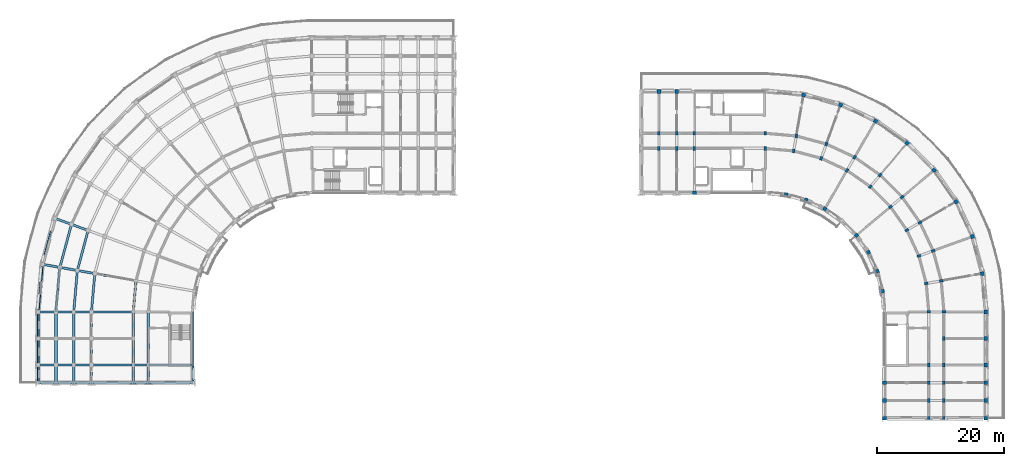
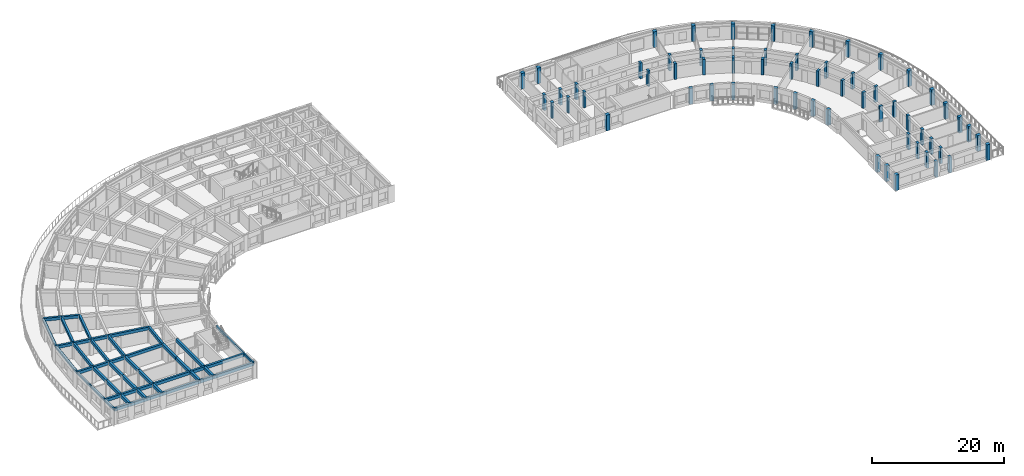
# One storey, part 2 of 32: 62 columns, 49 beams.
"""IFC4 building model written with IfcOpenShell, lengths in metres."""

from ifc_helpers import new_model, si_unit, direction, frame, origin, origin_2d, place, context, subcontext, project, spatial, rectangle, extrude, material, material_profile, profile_set, type_object, element, save


model = new_model("IFC4")

# Units and contexts
model_context = context("Model", 3, precision=1e-05, world=origin(), true_north=direction((0.0, 1.0)))
body_context = subcontext(model_context, "Body", "Model", "MODEL_VIEW")
ifc_project = project(units=[si_unit("LENGTHUNIT", "METRE"), si_unit("AREAUNIT", "SQUARE_METRE"), si_unit("VOLUMEUNIT", "CUBIC_METRE"), si_unit("PLANEANGLEUNIT", "RADIAN"), si_unit("MASSUNIT", "GRAM", prefix="KILO")], contexts=[model_context])

# Site, building, storey
site_placement = place(None, origin())
site = spatial("IfcSite", under=ifc_project, at=site_placement, CompositionType="ELEMENT")
building_placement = place(site_placement, origin())
building = spatial("IfcBuilding", under=site, at=building_placement, Name="Kiranvali Square Residences", CompositionType="ELEMENT")
storey_placement = place(building_placement, frame((0.0, 0.0, 40.199951171875)))
storey = spatial("IfcBuildingStorey", under=building, at=storey_placement, Name="L12", CompositionType="ELEMENT", Elevation=40.199951171875)

# Columns
ifc_material_1 = material(Name="Concrete M40 (40 MPa)", Category="concrete")
ifc_material_profile_1 = material_profile(ifc_material_1, rectangle(XDim=0.550048828125, YDim=0.550048828125, at=origin_2d()), Name="RC 550x550")
ifc_profile_set_1 = profile_set([ifc_material_profile_1], Name="Concrete M40 (40 MPa)")
column_type_1 = type_object("IfcColumnType", Name="COL-M40-550", PredefinedType="COLUMN", material=ifc_profile_set_1)
for number, where, z_axis, x_axis, name in (
    (1, (123.064697265625, 106.314453125, 0.0), (0.0, 0.0, 1.0), (-0.984807753012, 0.173648177667, 0.0), "Block B L12 radial column A01-R0"),
    (2, (126.22998046875, 105.46630859375, 0.0), (0.0, 0.0, 1.0), (-0.939692620786, 0.342020143326, 0.0), "Block B L12 radial column A02-R0"),
    (3, (129.199951171875, 104.081298828125, 0.0), (0.0, 0.0, 1.0), (-0.866025403784, 0.5, 0.0), "Block B L12 radial column A03-R0"),
    (4, (134.20166015625, 99.884521484375, 0.0), (0.0, 0.0, 1.0), (-0.642787609687, 0.766044443119, 0.0), "Block B L12 radial column A05-R0"),
    (5, (136.081298828125, 97.199951171875, 0.0), (0.0, 0.0, 1.0), (-0.5, 0.866025403784, 0.0), "Block B L12 radial column A06-R0"),
    (6, (137.46630859375, 94.22998046875, 0.0), (0.0, 0.0, 1.0), (-0.342020143326, 0.939692620786, 0.0), "Block B L12 radial column A07-R0"),
    (7, (138.314453125, 91.064697265625, 0.0), (0.0, 0.0, 1.0), (-0.173648177667, 0.984807753012, 0.0), "Block B L12 radial column A08-R0"),
):
    element("IfcColumn", number, at=place(storey_placement, frame(where, z_axis=z_axis, x_axis=x_axis)), inside=storey, type_object=column_type_1, Name=name, PredefinedType="COLUMN", context=body_context, shape_type="SweptSolid", body=[
        extrude(rectangle(XDim=0.550048828125, YDim=0.550048828125, at=origin_2d()), origin(), (0.0, 0.0, 1.0), 2.91015625),
    ])
ifc_material_profile_2 = material_profile(ifc_material_1, rectangle(XDim=0.60009765625, YDim=0.60009765625, at=origin_2d()), Name="RC 600x600")
ifc_profile_set_2 = profile_set([ifc_material_profile_2], Name="Concrete M40 (40 MPa)")
column_type_2 = type_object("IfcColumnType", Name="COL-M40-600", PredefinedType="COLUMN", material=ifc_profile_set_2)
for number, where, z_axis, x_axis, name in (
    (8, (125.843017578125, 122.0712890625, 0.0), (0.0, 0.0, 1.0), (-0.984807753012, 0.173648177667, 0.0), "Block B L12 radial column A01-R3"),
    (9, (131.702392578125, 120.501220703125, 0.0), (0.0, 0.0, 1.0), (-0.939692620786, 0.342020143326, 0.0), "Block B L12 radial column A02-R3"),
    (10, (137.199951171875, 117.937744140625, 0.0), (0.0, 0.0, 1.0), (-0.866025403784, 0.5, 0.0), "Block B L12 radial column A03-R3"),
    (11, (142.1689453125, 114.458251953125, 0.0), (0.0, 0.0, 1.0), (-0.766044443119, 0.642787609687, 0.0), "Block B L12 radial column A04-R3"),
    (12, (146.458251953125, 110.1689453125, 0.0), (0.0, 0.0, 1.0), (-0.642787609687, 0.766044443119, 0.0), "Block B L12 radial column A05-R3"),
    (13, (149.937744140625, 105.199951171875, 0.0), (0.0, 0.0, 1.0), (-0.5, 0.866025403784, 0.0), "Block B L12 radial column A06-R3"),
    (14, (152.501220703125, 99.702392578125, 0.0), (0.0, 0.0, 1.0), (-0.342020143326, 0.939692620786, 0.0), "Block B L12 radial column A07-R3"),
    (15, (154.0712890625, 93.843017578125, 0.0), (0.0, 0.0, 1.0), (-0.173648177667, 0.984807753012, 0.0), "Block B L12 radial column A08-R3"),
    (16, (154.60009765625, 87.800048828125, 0.0), (0.0, 0.0, 1.0), (0.0, 1.0, 0.0), "Block B L12 radial column A09-R3"),
    (17, (108.60009765625, 106.60009765625, 0.0), (0.0, 0.0, 1.0), (1.0, 0.0, 0.0), "Block B L12 Arm 1 column U1-R0"),
    (18, (105.800048828125, 122.60009765625, 0.0), (0.0, 0.0, 1.0), (1.0, 0.0, 0.0), "Block B L12 Arm 1 column U2-R3"),
    (19, (103.0, 122.60009765625, 0.0), (0.0, 0.0, 1.0), (1.0, 0.0, 0.0), "Block B L12 Arm 1 column U3-R3"),
    (20, (154.60009765625, 83.60009765625, 0.0), (0.0, 0.0, 1.0), (1.0, 0.0, 0.0), "Block B L12 Arm 2 mid-core column V0-R3"),
    (21, (154.60009765625, 79.39990234375, 0.0), (0.0, 0.0, 1.0), (1.0, 0.0, 0.0), "Block B L12 Arm 2 column V1-R3"),
    (22, (138.60009765625, 76.60009765625, 0.0), (0.0, 0.0, 1.0), (1.0, 0.0, 0.0), "Block B L12 Arm 2 column V2-R0"),
    (23, (154.60009765625, 76.60009765625, 0.0), (0.0, 0.0, 1.0), (1.0, 0.0, 0.0), "Block B L12 Arm 2 column V2-R3"),
    (24, (138.60009765625, 73.800048828125, 0.0), (0.0, 0.0, 1.0), (1.0, 0.0, 0.0), "Block B L12 Arm 2 column V3-R0"),
    (25, (154.60009765625, 73.800048828125, 0.0), (0.0, 0.0, 1.0), (1.0, 0.0, 0.0), "Block B L12 Arm 2 column V3-R3"),
    (26, (138.60009765625, 71.0, 0.0), (0.0, 0.0, 1.0), (1.0, 0.0, 0.0), "Block B L12 Arm 2 column V4-R0"),
    (27, (154.60009765625, 71.0, 0.0), (0.0, 0.0, 1.0), (1.0, 0.0, 0.0), "Block B L12 Arm 2 column V4-R3"),
):
    element("IfcColumn", number, at=place(storey_placement, frame(where, z_axis=z_axis, x_axis=x_axis)), inside=storey, type_object=column_type_2, Name=name, PredefinedType="COLUMN", context=body_context, shape_type="SweptSolid", body=[
        extrude(rectangle(XDim=0.60009765625, YDim=0.60009765625, at=origin_2d()), origin(), (0.0, 0.0, 1.0), 2.91015625),
    ])
ifc_material_profile_3 = material_profile(ifc_material_1, rectangle(XDim=0.39990234375, YDim=0.60009765625, at=origin_2d()), Name="RC 600x400")
ifc_profile_set_3 = profile_set([ifc_material_profile_3], Name="Concrete M40 (40 MPa)")
column_type_3 = type_object("IfcColumnType", Name="COL-M40-600x400", PredefinedType="COLUMN", material=ifc_profile_set_3)
for number, where, z_axis, x_axis, name in (
    (28, (119.800048828125, 113.60009765625, 0.0), (0.0, 0.0, 1.0), (1.0, 0.0, 0.0), "Block B L12 radial column A00-R1"),
    (29, (119.800048828125, 116.0, 0.0), (0.0, 0.0, 1.0), (1.0, 0.0, 0.0), "Block B L12 radial column A00-R2"),
    (30, (124.280029296875, 113.2080078125, 0.0), (0.0, 0.0, 1.0), (-0.984807753012, 0.173648177667, 0.0), "Block B L12 radial column A01-R1"),
    (31, (124.69677734375, 115.571533203125, 0.0), (0.0, 0.0, 1.0), (-0.984807753012, 0.173648177667, 0.0), "Block B L12 radial column A01-R2"),
    (32, (128.6240234375, 112.044189453125, 0.0), (0.0, 0.0, 1.0), (-0.939692620786, 0.342020143326, 0.0), "Block B L12 radial column A02-R1"),
    (33, (129.445068359375, 114.29931640625, 0.0), (0.0, 0.0, 1.0), (-0.939692620786, 0.342020143326, 0.0), "Block B L12 radial column A02-R2"),
    (34, (132.699951171875, 110.1435546875, 0.0), (0.0, 0.0, 1.0), (-0.866025403784, 0.5, 0.0), "Block B L12 radial column A03-R1"),
    (35, (133.89990234375, 112.221923828125, 0.0), (0.0, 0.0, 1.0), (-0.866025403784, 0.5, 0.0), "Block B L12 radial column A03-R2"),
    (36, (136.384033203125, 107.56396484375, 0.0), (0.0, 0.0, 1.0), (-0.766044443119, 0.642787609687, 0.0), "Block B L12 radial column A04-R1"),
    (37, (137.926513671875, 109.40234375, 0.0), (0.0, 0.0, 1.0), (-0.766044443119, 0.642787609687, 0.0), "Block B L12 radial column A04-R2"),
    (38, (139.56396484375, 104.384033203125, 0.0), (0.0, 0.0, 1.0), (-0.642787609687, 0.766044443119, 0.0), "Block B L12 radial column A05-R1"),
    (39, (141.40234375, 105.926513671875, 0.0), (0.0, 0.0, 1.0), (-0.642787609687, 0.766044443119, 0.0), "Block B L12 radial column A05-R2"),
    (40, (142.1435546875, 100.699951171875, 0.0), (0.0, 0.0, 1.0), (-0.5, 0.866025403784, 0.0), "Block B L12 radial column A06-R1"),
    (41, (144.221923828125, 101.89990234375, 0.0), (0.0, 0.0, 1.0), (-0.5, 0.866025403784, 0.0), "Block B L12 radial column A06-R2"),
    (42, (144.044189453125, 96.6240234375, 0.0), (0.0, 0.0, 1.0), (-0.342020143326, 0.939692620786, 0.0), "Block B L12 radial column A07-R1"),
    (43, (146.29931640625, 97.445068359375, 0.0), (0.0, 0.0, 1.0), (-0.342020143326, 0.939692620786, 0.0), "Block B L12 radial column A07-R2"),
    (44, (145.2080078125, 92.280029296875, 0.0), (0.0, 0.0, 1.0), (-0.173648177667, 0.984807753012, 0.0), "Block B L12 radial column A08-R1"),
    (45, (147.571533203125, 92.69677734375, 0.0), (0.0, 0.0, 1.0), (-0.173648177667, 0.984807753012, 0.0), "Block B L12 radial column A08-R2"),
    (46, (145.60009765625, 87.800048828125, 0.0), (0.0, 0.0, 1.0), (0.0, 1.0, 0.0), "Block B L12 radial column A09-R1"),
    (47, (148.0, 87.800048828125, 0.0), (0.0, 0.0, 1.0), (0.0, 1.0, 0.0), "Block B L12 radial column A09-R2"),
    (48, (108.60009765625, 113.60009765625, 0.0), (0.0, 0.0, 1.0), (1.0, 0.0, 0.0), "Block B L12 Arm 1 column U1-R1"),
    (49, (108.60009765625, 116.0, 0.0), (0.0, 0.0, 1.0), (1.0, 0.0, 0.0), "Block B L12 Arm 1 column U1-R2"),
    (50, (105.800048828125, 113.60009765625, 0.0), (0.0, 0.0, 1.0), (1.0, 0.0, 0.0), "Block B L12 Arm 1 column U2-R1"),
    (51, (105.800048828125, 116.0, 0.0), (0.0, 0.0, 1.0), (1.0, 0.0, 0.0), "Block B L12 Arm 1 column U2-R2"),
    (52, (103.0, 113.60009765625, 0.0), (0.0, 0.0, 1.0), (1.0, 0.0, 0.0), "Block B L12 Arm 1 column U3-R1"),
    (53, (103.0, 116.0, 0.0), (0.0, 0.0, 1.0), (1.0, 0.0, 0.0), "Block B L12 Arm 1 column U3-R2"),
    (54, (148.0, 83.60009765625, 0.0), (0.0, 0.0, 1.0), (1.0, 0.0, 0.0), "Block B L12 Arm 2 mid-core column V0-R2"),
    (55, (145.60009765625, 79.39990234375, 0.0), (0.0, 0.0, 1.0), (1.0, 0.0, 0.0), "Block B L12 Arm 2 column V1-R1"),
    (56, (148.0, 79.39990234375, 0.0), (0.0, 0.0, 1.0), (1.0, 0.0, 0.0), "Block B L12 Arm 2 column V1-R2"),
    (57, (145.60009765625, 76.60009765625, 0.0), (0.0, 0.0, 1.0), (1.0, 0.0, 0.0), "Block B L12 Arm 2 column V2-R1"),
    (58, (148.0, 76.60009765625, 0.0), (0.0, 0.0, 1.0), (1.0, 0.0, 0.0), "Block B L12 Arm 2 column V2-R2"),
    (59, (145.60009765625, 73.800048828125, 0.0), (0.0, 0.0, 1.0), (1.0, 0.0, 0.0), "Block B L12 Arm 2 column V3-R1"),
    (60, (148.0, 73.800048828125, 0.0), (0.0, 0.0, 1.0), (1.0, 0.0, 0.0), "Block B L12 Arm 2 column V3-R2"),
    (61, (145.60009765625, 71.0, 0.0), (0.0, 0.0, 1.0), (1.0, 0.0, 0.0), "Block B L12 Arm 2 column V4-R1"),
    (62, (148.0, 71.0, 0.0), (0.0, 0.0, 1.0), (1.0, 0.0, 0.0), "Block B L12 Arm 2 column V4-R2"),
):
    element("IfcColumn", number, at=place(storey_placement, frame(where, z_axis=z_axis, x_axis=x_axis)), inside=storey, type_object=column_type_3, Name=name, PredefinedType="COLUMN", context=body_context, shape_type="SweptSolid", body=[
        extrude(rectangle(XDim=0.39990234375, YDim=0.60009765625, at=origin_2d()), origin(), (0.0, 0.0, 1.0), 2.91015625),
    ])

# Beams
ifc_material_profile_4 = material_profile(ifc_material_1, rectangle(XDim=0.35009765625, YDim=0.550048828125, at=origin_2d()), Name="RC 350x550")
ifc_profile_set_4 = profile_set([ifc_material_profile_4], Name="Concrete M40 (40 MPa)")
beam_type_1 = type_object("IfcBeamType", Name="BM-M40-350x550", PredefinedType="BEAM", material=ifc_profile_set_4)
beam_1_placement = place(storey_placement, frame((12.86767578125, 100.659912109375, 2.655029296875), z_axis=(-0.258847178297, -0.965918287583, 0.0), x_axis=(0.965918287583, -0.258847178297, 0.0)))
element("IfcBeam", 63, at=beam_1_placement, inside=storey, type_object=beam_type_1, Name="L12 beam BM-A-L12-C07-R4", PredefinedType="BEAM", context=body_context, shape_type="SweptSolid", body=[
    extrude(rectangle(XDim=0.35009765625, YDim=0.550048828125, at=origin_2d()), origin(), (0.0, 0.0, 1.0), 6.55419921875),
])
beam_2_placement = place(storey_placement, frame((10.236328125, 101.61767578125, 2.655029296875), z_axis=(-0.258799624492, -0.965931029817, 0.0), x_axis=(0.965931029817, -0.258799624492, 0.0)))
element("IfcBeam", 64, at=beam_2_placement, inside=storey, type_object=beam_type_1, Name="L12 beam BM-A-L12-C07-R5", PredefinedType="BEAM", context=body_context, shape_type="SweptSolid", body=[
    extrude(rectangle(XDim=0.35009765625, YDim=0.550048828125, at=origin_2d()), origin(), (0.0, 0.0, 1.0), 7.042236328125),
])
beam_3_placement = place(storey_placement, frame((20.428466796875, 92.69677734375, 2.655029296875), z_axis=(-0.087167566415, -0.996193663584, 0.0), x_axis=(0.996193663584, -0.087167566415, 0.0)))
element("IfcBeam", 65, at=beam_3_placement, inside=storey, type_object=beam_type_1, Name="L12 beam BM-A-L12-C08-R2", PredefinedType="BEAM", context=body_context, shape_type="SweptSolid", body=[
    extrude(rectangle(XDim=0.35009765625, YDim=0.550048828125, at=origin_2d()), origin(), (0.0, 0.0, 1.0), 4.91552734375),
])
beam_4_placement = place(storey_placement, frame((13.9287109375, 93.843017578125, 2.655029296875), z_axis=(-0.087174938512, -0.996193018494, 0.0), x_axis=(0.996193018494, -0.087174938512, 0.0)))
element("IfcBeam", 66, at=beam_4_placement, inside=storey, type_object=beam_type_1, Name="L12 beam BM-A-L12-C08-R3", PredefinedType="BEAM", context=body_context, shape_type="SweptSolid", body=[
    extrude(rectangle(XDim=0.35009765625, YDim=0.550048828125, at=origin_2d()), origin(), (0.0, 0.0, 1.0), 6.066162109375),
])
beam_5_placement = place(storey_placement, frame((11.171142578125, 94.3291015625, 2.655029296875), z_axis=(-0.0871295204, -0.996196991902, 0.0), x_axis=(0.996196991902, -0.0871295204, 0.0)))
element("IfcBeam", 67, at=beam_5_placement, inside=storey, type_object=beam_type_1, Name="L12 beam BM-A-L12-C08-R4", PredefinedType="BEAM", context=body_context, shape_type="SweptSolid", body=[
    extrude(rectangle(XDim=0.35009765625, YDim=0.550048828125, at=origin_2d()), origin(), (0.0, 0.0, 1.0), 6.553955078125),
])
beam_6_placement = place(storey_placement, frame((8.413818359375, 94.8154296875, 2.655029296875), z_axis=(-0.087156198737, -0.996194658198, 0.0), x_axis=(0.996194658198, -0.087156198737, 0.0)))
element("IfcBeam", 68, at=beam_6_placement, inside=storey, type_object=beam_type_1, Name="L12 beam BM-A-L12-C08-R5", PredefinedType="BEAM", context=body_context, shape_type="SweptSolid", body=[
    extrude(rectangle(XDim=0.35009765625, YDim=0.550048828125, at=origin_2d()), origin(), (0.0, 0.0, 1.0), 7.042236328125),
])
beam_7_placement = place(storey_placement, frame((12.86767578125, 100.659912109375, 2.655029296875), z_axis=(-0.939689011208, 0.342030060398, 0.0), x_axis=(-0.342030060398, -0.939689011208, 0.0)))
element("IfcBeam", 69, at=beam_7_placement, inside=storey, type_object=beam_type_1, Name="L12 beam BM-A-L12-RAD07-45", PredefinedType="BEAM", context=body_context, shape_type="SweptSolid", body=[
    extrude(rectangle(XDim=0.35009765625, YDim=0.550048828125, at=origin_2d()), origin(), (0.0, 0.0, 1.0), 2.80029296875),
])
beam_8_placement = place(storey_placement, frame((10.236328125, 101.61767578125, 2.695068359375), z_axis=(-0.93970683422, 0.341981089711, 0.0), x_axis=(-0.341981089711, -0.93970683422, 0.0)))
element("IfcBeam", 70, at=beam_8_placement, inside=storey, type_object=beam_type_1, Name="L12 beam BM-A-L12-RAD07-56", PredefinedType="BEAM", context=body_context, shape_type="SweptSolid", body=[
    extrude(rectangle(XDim=0.35009765625, YDim=0.550048828125, at=origin_2d()), origin(), (0.0, 0.0, 1.0), 2.7998046875),
])
beam_9_placement = place(storey_placement, frame((20.428466796875, 92.69677734375, 2.655029296875), z_axis=(-0.984803661269, 0.173671381499, 0.0), x_axis=(-0.173671381499, -0.984803661269, 0.0)))
element("IfcBeam", 71, at=beam_9_placement, inside=storey, type_object=beam_type_1, Name="L12 beam BM-A-L12-RAD08-23", PredefinedType="BEAM", context=body_context, shape_type="SweptSolid", body=[
    extrude(rectangle(XDim=0.35009765625, YDim=0.550048828125, at=origin_2d()), origin(), (0.0, 0.0, 1.0), 6.60009765625),
])
beam_10_placement = place(storey_placement, frame((13.9287109375, 93.843017578125, 2.655029296875), z_axis=(-0.984816895441, 0.173596320392, 0.0), x_axis=(-0.173596320392, -0.984816895441, 0.0)))
element("IfcBeam", 72, at=beam_10_placement, inside=storey, type_object=beam_type_1, Name="L12 beam BM-A-L12-RAD08-34", PredefinedType="BEAM", context=body_context, shape_type="SweptSolid", body=[
    extrude(rectangle(XDim=0.35009765625, YDim=0.550048828125, at=origin_2d()), origin(), (0.0, 0.0, 1.0), 2.800048828125),
])
beam_11_placement = place(storey_placement, frame((11.171142578125, 94.3291015625, 2.655029296875), z_axis=(-0.984799355489, 0.173695795656, 0.0), x_axis=(-0.173695795656, -0.984799355489, 0.0)))
element("IfcBeam", 73, at=beam_11_placement, inside=storey, type_object=beam_type_1, Name="L12 beam BM-A-L12-RAD08-45", PredefinedType="BEAM", context=body_context, shape_type="SweptSolid", body=[
    extrude(rectangle(XDim=0.35009765625, YDim=0.550048828125, at=origin_2d()), origin(), (0.0, 0.0, 1.0), 2.7998046875),
])
beam_12_placement = place(storey_placement, frame((8.413818359375, 94.8154296875, 2.695068359375), z_axis=(-0.984816895441, 0.173596320392, 0.0), x_axis=(-0.173596320392, -0.984816895441, 0.0)))
element("IfcBeam", 74, at=beam_12_placement, inside=storey, type_object=beam_type_1, Name="L12 beam BM-A-L12-RAD08-56", PredefinedType="BEAM", context=body_context, shape_type="SweptSolid", body=[
    extrude(rectangle(XDim=0.35009765625, YDim=0.550048828125, at=origin_2d()), origin(), (0.0, 0.0, 1.0), 2.800048828125),
])
beam_13_placement = place(storey_placement, frame((20.0, 87.800048828125, 2.655029296875), z_axis=(-1.0, 0.0, 0.0), x_axis=(0.0, -1.0, 0.0)))
element("IfcBeam", 75, at=beam_13_placement, inside=storey, type_object=beam_type_1, Name="L12 beam BM-A-L12-A2T0-23", PredefinedType="BEAM", context=body_context, shape_type="SweptSolid", body=[
    extrude(rectangle(XDim=0.35009765625, YDim=0.550048828125, at=origin_2d()), origin(), (0.0, 0.0, 1.0), 6.60009765625),
])
beam_14_placement = place(storey_placement, frame((13.39990234375, 87.800048828125, 2.655029296875), z_axis=(-1.0, 0.0, 0.0), x_axis=(0.0, -1.0, 0.0)))
element("IfcBeam", 76, at=beam_14_placement, inside=storey, type_object=beam_type_1, Name="L12 beam BM-A-L12-A2T0-34", PredefinedType="BEAM", context=body_context, shape_type="SweptSolid", body=[
    extrude(rectangle(XDim=0.35009765625, YDim=0.550048828125, at=origin_2d()), origin(), (0.0, 0.0, 1.0), 2.7998046875),
])
for number, where, z_axis, x_axis, name in (
    (77, (10.60009765625, 87.800048828125, 2.655029296875), (-1.0, 0.0, 0.0), (0.0, -1.0, 0.0), "L12 beam BM-A-L12-A2T0-45"),
    (78, (7.800048828125, 87.800048828125, 2.695068359375), (-1.0, 0.0, 0.0), (0.0, -1.0, 0.0), "L12 beam BM-A-L12-A2T0-56"),
):
    element("IfcBeam", number, at=place(storey_placement, frame(where, z_axis=z_axis, x_axis=x_axis)), inside=storey, type_object=beam_type_1, Name=name, PredefinedType="BEAM", context=body_context, shape_type="SweptSolid", body=[
        extrude(rectangle(XDim=0.35009765625, YDim=0.550048828125, at=origin_2d()), origin(), (0.0, 0.0, 1.0), 2.800048828125),
    ])
beam_15_placement = place(storey_placement, frame((29.39990234375, 79.39990234375, 2.655029296875), z_axis=(-1.0, 0.0, 0.0), x_axis=(0.0, -1.0, 0.0)))
element("IfcBeam", 79, at=beam_15_placement, inside=storey, type_object=beam_type_1, Name="L12 beam BM-A-L12-A2T1-01", PredefinedType="BEAM", context=body_context, shape_type="SweptSolid", body=[
    extrude(rectangle(XDim=0.35009765625, YDim=0.550048828125, at=origin_2d()), origin(), (0.0, 0.0, 1.0), 7.0),
])
beam_16_placement = place(storey_placement, frame((22.39990234375, 79.39990234375, 2.655029296875), z_axis=(-1.0, 0.0, 0.0), x_axis=(0.0, -1.0, 0.0)))
element("IfcBeam", 80, at=beam_16_placement, inside=storey, type_object=beam_type_1, Name="L12 beam BM-A-L12-A2T1-12", PredefinedType="BEAM", context=body_context, shape_type="SweptSolid", body=[
    extrude(rectangle(XDim=0.35009765625, YDim=0.550048828125, at=origin_2d()), origin(), (0.0, 0.0, 1.0), 2.39990234375),
])
beam_17_placement = place(storey_placement, frame((20.0, 79.39990234375, 2.655029296875), z_axis=(-1.0, 0.0, 0.0), x_axis=(0.0, -1.0, 0.0)))
element("IfcBeam", 81, at=beam_17_placement, inside=storey, type_object=beam_type_1, Name="L12 beam BM-A-L12-A2T1-23", PredefinedType="BEAM", context=body_context, shape_type="SweptSolid", body=[
    extrude(rectangle(XDim=0.35009765625, YDim=0.550048828125, at=origin_2d()), origin(), (0.0, 0.0, 1.0), 6.60009765625),
])
beam_18_placement = place(storey_placement, frame((13.39990234375, 79.39990234375, 2.655029296875), z_axis=(-1.0, 0.0, 0.0), x_axis=(0.0, -1.0, 0.0)))
element("IfcBeam", 82, at=beam_18_placement, inside=storey, type_object=beam_type_1, Name="L12 beam BM-A-L12-A2T1-34", PredefinedType="BEAM", context=body_context, shape_type="SweptSolid", body=[
    extrude(rectangle(XDim=0.35009765625, YDim=0.550048828125, at=origin_2d()), origin(), (0.0, 0.0, 1.0), 2.7998046875),
])
for number, where, z_axis, x_axis, name in (
    (83, (10.60009765625, 79.39990234375, 2.655029296875), (-1.0, 0.0, 0.0), (0.0, -1.0, 0.0), "L12 beam BM-A-L12-A2T1-45"),
    (84, (7.800048828125, 79.39990234375, 2.695068359375), (-1.0, 0.0, 0.0), (0.0, -1.0, 0.0), "L12 beam BM-A-L12-A2T1-56"),
):
    element("IfcBeam", number, at=place(storey_placement, frame(where, z_axis=z_axis, x_axis=x_axis)), inside=storey, type_object=beam_type_1, Name=name, PredefinedType="BEAM", context=body_context, shape_type="SweptSolid", body=[
        extrude(rectangle(XDim=0.35009765625, YDim=0.550048828125, at=origin_2d()), origin(), (0.0, 0.0, 1.0), 2.800048828125),
    ])
beam_19_placement = place(storey_placement, frame((29.39990234375, 76.60009765625, 2.655029296875), z_axis=(-1.0, 0.0, 0.0), x_axis=(0.0, -1.0, 0.0)))
element("IfcBeam", 85, at=beam_19_placement, inside=storey, type_object=beam_type_1, Name="L12 beam BM-A-L12-A2T2-01", PredefinedType="BEAM", context=body_context, shape_type="SweptSolid", body=[
    extrude(rectangle(XDim=0.35009765625, YDim=0.550048828125, at=origin_2d()), origin(), (0.0, 0.0, 1.0), 7.0),
])
beam_20_placement = place(storey_placement, frame((22.39990234375, 76.60009765625, 2.655029296875), z_axis=(-1.0, 0.0, 0.0), x_axis=(0.0, -1.0, 0.0)))
element("IfcBeam", 86, at=beam_20_placement, inside=storey, type_object=beam_type_1, Name="L12 beam BM-A-L12-A2T2-12", PredefinedType="BEAM", context=body_context, shape_type="SweptSolid", body=[
    extrude(rectangle(XDim=0.35009765625, YDim=0.550048828125, at=origin_2d()), origin(), (0.0, 0.0, 1.0), 2.39990234375),
])
beam_21_placement = place(storey_placement, frame((20.0, 76.60009765625, 2.655029296875), z_axis=(-1.0, 0.0, 0.0), x_axis=(0.0, -1.0, 0.0)))
element("IfcBeam", 87, at=beam_21_placement, inside=storey, type_object=beam_type_1, Name="L12 beam BM-A-L12-A2T2-23", PredefinedType="BEAM", context=body_context, shape_type="SweptSolid", body=[
    extrude(rectangle(XDim=0.35009765625, YDim=0.550048828125, at=origin_2d()), origin(), (0.0, 0.0, 1.0), 6.60009765625),
])
beam_22_placement = place(storey_placement, frame((13.39990234375, 76.60009765625, 2.655029296875), z_axis=(-1.0, 0.0, 0.0), x_axis=(0.0, -1.0, 0.0)))
element("IfcBeam", 88, at=beam_22_placement, inside=storey, type_object=beam_type_1, Name="L12 beam BM-A-L12-A2T2-34", PredefinedType="BEAM", context=body_context, shape_type="SweptSolid", body=[
    extrude(rectangle(XDim=0.35009765625, YDim=0.550048828125, at=origin_2d()), origin(), (0.0, 0.0, 1.0), 2.7998046875),
])
for number, where, z_axis, x_axis, name in (
    (89, (10.60009765625, 76.60009765625, 2.655029296875), (-1.0, 0.0, 0.0), (0.0, -1.0, 0.0), "L12 beam BM-A-L12-A2T2-45"),
    (90, (7.800048828125, 76.60009765625, 2.695068359375), (-1.0, 0.0, 0.0), (0.0, -1.0, 0.0), "L12 beam BM-A-L12-A2T2-56"),
):
    element("IfcBeam", number, at=place(storey_placement, frame(where, z_axis=z_axis, x_axis=x_axis)), inside=storey, type_object=beam_type_1, Name=name, PredefinedType="BEAM", context=body_context, shape_type="SweptSolid", body=[
        extrude(rectangle(XDim=0.35009765625, YDim=0.550048828125, at=origin_2d()), origin(), (0.0, 0.0, 1.0), 2.800048828125),
    ])
ifc_material_2 = material(Name="Concrete M45 (45 MPa)", Category="concrete")
ifc_material_profile_5 = material_profile(ifc_material_2, rectangle(XDim=0.39990234375, YDim=0.550048828125, at=origin_2d()), Name="RC 400x550")
ifc_profile_set_5 = profile_set([ifc_material_profile_5], Name="Concrete M45 (45 MPa)")
beam_type_2 = type_object("IfcBeamType", Name="BM-M45-400x550", PredefinedType="BEAM", material=ifc_profile_set_5)
beam_23_placement = place(storey_placement, frame((22.39990234375, 87.800048828125, 2.655029296875), z_axis=(0.0, -1.0, 0.0), x_axis=(1.0, 0.0, 0.0)))
element("IfcBeam", 91, at=beam_23_placement, inside=storey, type_object=beam_type_2, Name="L12 beam BM-A-L12-A2V0-R1", PredefinedType="BEAM", context=body_context, shape_type="SweptSolid", body=[
    extrude(rectangle(XDim=0.39990234375, YDim=0.550048828125, at=origin_2d()), origin(), (0.0, 0.0, 1.0), 8.400146484375),
])
beam_24_placement = place(storey_placement, frame((22.39990234375, 79.39990234375, 2.655029296875), z_axis=(0.0, -1.0, 0.0), x_axis=(1.0, 0.0, 0.0)))
element("IfcBeam", 92, at=beam_24_placement, inside=storey, type_object=beam_type_2, Name="L12 beam BM-A-L12-A2V1-R1", PredefinedType="BEAM", context=body_context, shape_type="SweptSolid", body=[
    extrude(rectangle(XDim=0.39990234375, YDim=0.550048828125, at=origin_2d()), origin(), (0.0, 0.0, 1.0), 2.7998046875),
])
beam_25_placement = place(storey_placement, frame((20.0, 87.800048828125, 2.655029296875), z_axis=(0.0, -1.0, 0.0), x_axis=(1.0, 0.0, 0.0)))
element("IfcBeam", 93, at=beam_25_placement, inside=storey, type_object=beam_type_2, Name="L12 beam BM-A-L12-A2V0-R2", PredefinedType="BEAM", context=body_context, shape_type="SweptSolid", body=[
    extrude(rectangle(XDim=0.39990234375, YDim=0.550048828125, at=origin_2d()), origin(), (0.0, 0.0, 1.0), 4.199951171875),
])
beam_26_placement = place(storey_placement, frame((20.0, 83.60009765625, 2.655029296875), z_axis=(0.0, -1.0, 0.0), x_axis=(1.0, 0.0, 0.0)))
element("IfcBeam", 94, at=beam_26_placement, inside=storey, type_object=beam_type_2, Name="L12 beam BM-A-L12-A2V1-R2", PredefinedType="BEAM", context=body_context, shape_type="SweptSolid", body=[
    extrude(rectangle(XDim=0.39990234375, YDim=0.550048828125, at=origin_2d()), origin(), (0.0, 0.0, 1.0), 4.2001953125),
])
beam_27_placement = place(storey_placement, frame((20.0, 79.39990234375, 2.655029296875), z_axis=(0.0, -1.0, 0.0), x_axis=(1.0, 0.0, 0.0)))
element("IfcBeam", 95, at=beam_27_placement, inside=storey, type_object=beam_type_2, Name="L12 beam BM-A-L12-A2V2-R2", PredefinedType="BEAM", context=body_context, shape_type="SweptSolid", body=[
    extrude(rectangle(XDim=0.39990234375, YDim=0.550048828125, at=origin_2d()), origin(), (0.0, 0.0, 1.0), 2.7998046875),
])
beam_28_placement = place(storey_placement, frame((13.39990234375, 87.800048828125, 2.655029296875), z_axis=(0.0, -1.0, 0.0), x_axis=(1.0, 0.0, 0.0)))
element("IfcBeam", 96, at=beam_28_placement, inside=storey, type_object=beam_type_2, Name="L12 beam BM-A-L12-A2V0-R3", PredefinedType="BEAM", context=body_context, shape_type="SweptSolid", body=[
    extrude(rectangle(XDim=0.39990234375, YDim=0.550048828125, at=origin_2d()), origin(), (0.0, 0.0, 1.0), 4.199951171875),
])
beam_29_placement = place(storey_placement, frame((13.39990234375, 83.60009765625, 2.655029296875), z_axis=(0.0, -1.0, 0.0), x_axis=(1.0, 0.0, 0.0)))
element("IfcBeam", 97, at=beam_29_placement, inside=storey, type_object=beam_type_2, Name="L12 beam BM-A-L12-A2V1-R3", PredefinedType="BEAM", context=body_context, shape_type="SweptSolid", body=[
    extrude(rectangle(XDim=0.39990234375, YDim=0.550048828125, at=origin_2d()), origin(), (0.0, 0.0, 1.0), 4.2001953125),
])
beam_30_placement = place(storey_placement, frame((13.39990234375, 79.39990234375, 2.655029296875), z_axis=(0.0, -1.0, 0.0), x_axis=(1.0, 0.0, 0.0)))
element("IfcBeam", 98, at=beam_30_placement, inside=storey, type_object=beam_type_2, Name="L12 beam BM-A-L12-A2V2-R3", PredefinedType="BEAM", context=body_context, shape_type="SweptSolid", body=[
    extrude(rectangle(XDim=0.39990234375, YDim=0.550048828125, at=origin_2d()), origin(), (0.0, 0.0, 1.0), 2.7998046875),
])
beam_31_placement = place(storey_placement, frame((10.60009765625, 87.800048828125, 2.655029296875), z_axis=(0.0, -1.0, 0.0), x_axis=(1.0, 0.0, 0.0)))
element("IfcBeam", 99, at=beam_31_placement, inside=storey, type_object=beam_type_2, Name="L12 beam BM-A-L12-A2V0-R4", PredefinedType="BEAM", context=body_context, shape_type="SweptSolid", body=[
    extrude(rectangle(XDim=0.39990234375, YDim=0.550048828125, at=origin_2d()), origin(), (0.0, 0.0, 1.0), 4.199951171875),
])
beam_32_placement = place(storey_placement, frame((10.60009765625, 83.60009765625, 2.655029296875), z_axis=(0.0, -1.0, 0.0), x_axis=(1.0, 0.0, 0.0)))
element("IfcBeam", 100, at=beam_32_placement, inside=storey, type_object=beam_type_2, Name="L12 beam BM-A-L12-A2V1-R4", PredefinedType="BEAM", context=body_context, shape_type="SweptSolid", body=[
    extrude(rectangle(XDim=0.39990234375, YDim=0.550048828125, at=origin_2d()), origin(), (0.0, 0.0, 1.0), 4.2001953125),
])
beam_33_placement = place(storey_placement, frame((10.60009765625, 79.39990234375, 2.655029296875), z_axis=(0.0, -1.0, 0.0), x_axis=(1.0, 0.0, 0.0)))
element("IfcBeam", 101, at=beam_33_placement, inside=storey, type_object=beam_type_2, Name="L12 beam BM-A-L12-A2V2-R4", PredefinedType="BEAM", context=body_context, shape_type="SweptSolid", body=[
    extrude(rectangle(XDim=0.39990234375, YDim=0.550048828125, at=origin_2d()), origin(), (0.0, 0.0, 1.0), 2.7998046875),
])
beam_34_placement = place(storey_placement, frame((7.800048828125, 87.800048828125, 2.655029296875), z_axis=(0.0, -1.0, 0.0), x_axis=(1.0, 0.0, 0.0)))
element("IfcBeam", 102, at=beam_34_placement, inside=storey, type_object=beam_type_2, Name="L12 beam BM-A-L12-A2V0-R5", PredefinedType="BEAM", context=body_context, shape_type="SweptSolid", body=[
    extrude(rectangle(XDim=0.39990234375, YDim=0.550048828125, at=origin_2d()), origin(), (0.0, 0.0, 1.0), 4.199951171875),
])
beam_35_placement = place(storey_placement, frame((7.800048828125, 83.60009765625, 2.655029296875), z_axis=(0.0, -1.0, 0.0), x_axis=(1.0, 0.0, 0.0)))
element("IfcBeam", 103, at=beam_35_placement, inside=storey, type_object=beam_type_2, Name="L12 beam BM-A-L12-A2V1-R5", PredefinedType="BEAM", context=body_context, shape_type="SweptSolid", body=[
    extrude(rectangle(XDim=0.39990234375, YDim=0.550048828125, at=origin_2d()), origin(), (0.0, 0.0, 1.0), 4.2001953125),
])
beam_36_placement = place(storey_placement, frame((7.800048828125, 79.39990234375, 2.655029296875), z_axis=(0.0, -1.0, 0.0), x_axis=(1.0, 0.0, 0.0)))
element("IfcBeam", 104, at=beam_36_placement, inside=storey, type_object=beam_type_2, Name="L12 beam BM-A-L12-A2V2-R5", PredefinedType="BEAM", context=body_context, shape_type="SweptSolid", body=[
    extrude(rectangle(XDim=0.39990234375, YDim=0.550048828125, at=origin_2d()), origin(), (0.0, 0.0, 1.0), 2.7998046875),
])
ifc_material_profile_6 = material_profile(ifc_material_1, rectangle(XDim=0.25, YDim=0.449951171875, at=origin_2d()), Name="RC 250x450")
ifc_profile_set_6 = profile_set([ifc_material_profile_6], Name="Concrete M40 (40 MPa)")
beam_type_3 = type_object("IfcBeamType", Name="SPN-M40-250x450", PredefinedType="SPANDREL", material=ifc_profile_set_6)
beam_37_placement = place(storey_placement, frame((29.39990234375, 87.800048828125, 2.705078125), z_axis=(0.0, -1.0, 0.0), x_axis=(1.0, 0.0, 0.0)))
element("IfcBeam", 105, at=beam_37_placement, inside=storey, type_object=beam_type_3, Name="L12 beam BM-A-L12-A2V0-R0", PredefinedType="SPANDREL", context=body_context, shape_type="SweptSolid", body=[
    extrude(rectangle(XDim=0.25, YDim=0.449951171875, at=origin_2d()), origin(), (0.0, 0.0, 1.0), 8.400146484375),
])
beam_38_placement = place(storey_placement, frame((29.39990234375, 79.39990234375, 2.705078125), z_axis=(0.0, -1.0, 0.0), x_axis=(1.0, 0.0, 0.0)))
element("IfcBeam", 106, at=beam_38_placement, inside=storey, type_object=beam_type_3, Name="L12 beam BM-A-L12-A2V1-R0", PredefinedType="SPANDREL", context=body_context, shape_type="SweptSolid", body=[
    extrude(rectangle(XDim=0.25, YDim=0.449951171875, at=origin_2d()), origin(), (0.0, 0.0, 1.0), 2.7998046875),
])
beam_39_placement = place(storey_placement, frame((5.0, 87.800048828125, 2.7451171875), z_axis=(0.0, -1.0, 0.0), x_axis=(1.0, 0.0, 0.0)))
element("IfcBeam", 107, at=beam_39_placement, inside=storey, type_object=beam_type_3, Name="L12 beam BM-A-L12-A2V0-R6", PredefinedType="SPANDREL", context=body_context, shape_type="SweptSolid", body=[
    extrude(rectangle(XDim=0.25, YDim=0.449951171875, at=origin_2d()), origin(), (0.0, 0.0, 1.0), 4.199951171875),
])
beam_40_placement = place(storey_placement, frame((5.0, 83.60009765625, 2.7451171875), z_axis=(0.0, -1.0, 0.0), x_axis=(1.0, 0.0, 0.0)))
element("IfcBeam", 108, at=beam_40_placement, inside=storey, type_object=beam_type_3, Name="L12 beam BM-A-L12-A2V1-R6", PredefinedType="SPANDREL", context=body_context, shape_type="SweptSolid", body=[
    extrude(rectangle(XDim=0.25, YDim=0.449951171875, at=origin_2d()), origin(), (0.0, 0.0, 1.0), 4.2001953125),
])
beam_41_placement = place(storey_placement, frame((5.0, 79.39990234375, 2.7451171875), z_axis=(0.0, -1.0, 0.0), x_axis=(1.0, 0.0, 0.0)))
element("IfcBeam", 109, at=beam_41_placement, inside=storey, type_object=beam_type_3, Name="L12 beam BM-A-L12-A2V2-R6", PredefinedType="SPANDREL", context=body_context, shape_type="SweptSolid", body=[
    extrude(rectangle(XDim=0.25, YDim=0.449951171875, at=origin_2d()), origin(), (0.0, 0.0, 1.0), 2.7998046875),
])
ifc_material_profile_7 = material_profile(ifc_material_1, rectangle(XDim=0.300048828125, YDim=0.449951171875, at=origin_2d()), Name="RC 300x450")
ifc_profile_set_7 = profile_set([ifc_material_profile_7], Name="Concrete M40 (40 MPa)")
beam_type_4 = type_object("IfcBeamType", Name="SPN-M40-300x450", PredefinedType="SPANDREL", material=ifc_profile_set_7)
beam_42_placement = place(storey_placement, frame((7.605224609375, 102.5751953125, 2.7451171875), z_axis=(-0.258818733833, -0.965925909693, 0.0), x_axis=(0.965925909693, -0.258818733833, 0.0)))
element("IfcBeam", 110, at=beam_42_placement, inside=storey, type_object=beam_type_4, Name="L12 beam BM-A-L12-C07-R6", PredefinedType="SPANDREL", context=body_context, shape_type="SweptSolid", body=[
    extrude(rectangle(XDim=0.300048828125, YDim=0.449951171875, at=origin_2d()), origin(), (0.0, 0.0, 1.0), 7.5302734375),
])
beam_43_placement = place(storey_placement, frame((5.65625, 95.301513671875, 2.7451171875), z_axis=(-0.087150058103, -0.996195195417, 0.0), x_axis=(0.996195195417, -0.087150058103, 0.0)))
element("IfcBeam", 111, at=beam_43_placement, inside=storey, type_object=beam_type_4, Name="L12 beam BM-A-L12-C08-R6", PredefinedType="SPANDREL", context=body_context, shape_type="SweptSolid", body=[
    extrude(rectangle(XDim=0.300048828125, YDim=0.449951171875, at=origin_2d()), origin(), (0.0, 0.0, 1.0), 7.530029296875),
])

save(model, "model.ifc")
